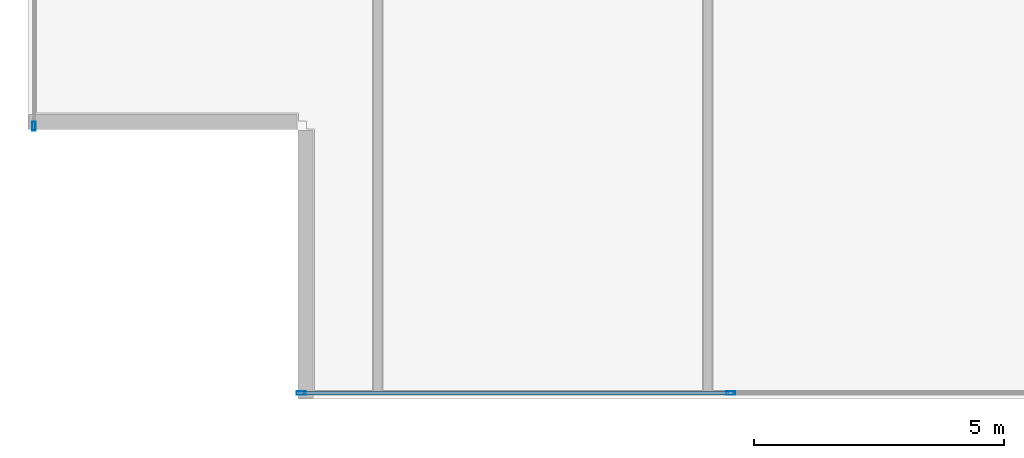
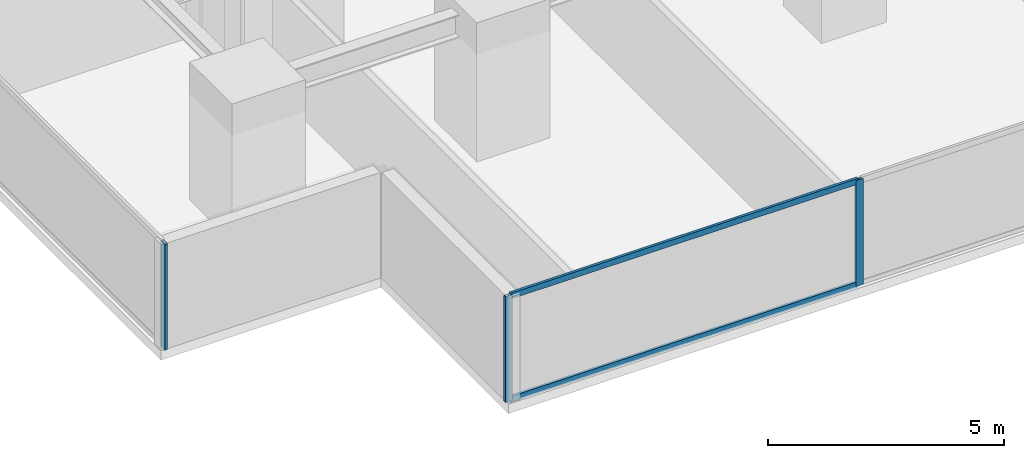
# One storey, part 2 of 34: 5 members, 2 elements without a shape of their own.
"""IFC4 building model written with IfcOpenShell, lengths in metres."""

from ifc_helpers import new_model, si_unit, direction, frame, origin, origin_2d, place, context, subcontext, project, spatial, hollow_rectangle, extrude, source, transform, mapped, material, layer, layer_set, material_profile, profile_set, type_object, element, aggregate, save


model = new_model("IFC4")

# Units and contexts
model_context = context("Model", 3, precision=1e-05, world=origin(), true_north=direction((0.0, 1.0)))
body_context = subcontext(model_context, "Body", "Model", "MODEL_VIEW")
ifc_project = project(units=[si_unit("LENGTHUNIT", "METRE"), si_unit("AREAUNIT", "SQUARE_METRE"), si_unit("VOLUMEUNIT", "CUBIC_METRE"), si_unit("PLANEANGLEUNIT", "RADIAN"), si_unit("MASSUNIT", "GRAM", prefix="KILO")], contexts=[model_context])

# Site, building, storey
site_placement = place(None, origin())
site = spatial("IfcSite", under=ifc_project, at=site_placement, CompositionType="ELEMENT")
building_placement = place(site_placement, origin())
building = spatial("IfcBuilding", under=site, at=building_placement, Name="Sumidabori Civic Tower", CompositionType="ELEMENT")
storey_placement = place(building_placement, frame((0.0, 0.0, 56.0)))
storey = spatial("IfcBuildingStorey", under=building, at=storey_placement, Name="L14", CompositionType="ELEMENT", Elevation=56.0)

# Curtain wall, members
ifc_material = material(Name="Anodised Bronze Aluminium AW-6063-T6", Category="aluminium")
ifc_layer = layer(ifc_material, 0.179931640625, Name="Anodised Bronze Aluminium AW-6063-T6")
ifc_layer_set = layer_set([ifc_layer], Name="Anodised Bronze Aluminium AW-6063-T6")
curtain_wall_type = type_object("IfcCurtainWallType", Name="CW-SYS-2", PredefinedType="NOTDEFINED", material=ifc_layer_set)
curtain_wall_1_placement = place(storey_placement, origin())
curtain_wall_1 = element("IfcCurtainWall", 1, at=curtain_wall_1_placement, inside=storey, type_object=curtain_wall_type, Name="Curtain Wall CW:L14:R01", PredefinedType="NOTDEFINED")
ifc_material_profile_1 = material_profile(ifc_material, hollow_rectangle(XDim=0.070068359375, YDim=0.179931640625, WallThickness=0.006103515625, at=origin_2d()), Name="ALU MULLION 180x70")
ifc_profile_set_1 = profile_set([ifc_material_profile_1], Name="Anodised Bronze Aluminium AW-6063-T6")
member_type_1 = type_object("IfcMemberType", Name="CW-MUL-180", PredefinedType="MULLION", material=ifc_profile_set_1)
shared_shape_1 = source(origin(), body_context, "Body", "SweptSolid", [
    extrude(hollow_rectangle(XDim=0.070068359375, YDim=0.179931640625, WallThickness=0.006103515625, at=origin_2d()), origin(), (0.0, 0.0, 1.0), 2.739990234375),
])
member_1_placement = place(storey_placement, frame((-21.534912109375, -26.8798828125, 0.0), z_axis=(0.0, 0.0, 1.0), x_axis=(0.0, 1.0, 0.0)))
member_1 = element("IfcMember", 2, at=member_1_placement, type_object=member_type_1, Name="CW-2 mullion 1", PredefinedType="MULLION", context=body_context, shape_type="MappedRepresentation", body=[
    mapped(shared_shape_1, transform((0.0, 0.0, 0.0), x_axis=(1.0, 0.0, 0.0), y_axis=(0.0, 1.0, 0.0), z_axis=(0.0, 0.0, 1.0), scale=1.0)),
])
member_2_placement = place(storey_placement, frame((-12.94189453125, -26.8798828125, 0.0), z_axis=(0.0, 0.0, 1.0), x_axis=(0.0, 1.0, 0.0)))
member_2 = element("IfcMember", 3, at=member_2_placement, type_object=member_type_1, Name="CW-2 mullion 2", PredefinedType="MULLION", context=body_context, shape_type="MappedRepresentation", body=[
    mapped(shared_shape_1, transform((0.0, 0.0, 0.0), x_axis=(1.0, 0.0, 0.0), y_axis=(0.0, 1.0, 0.0), z_axis=(0.0, 0.0, 1.0), scale=1.0)),
])

# Curtain wall, member
curtain_wall_2_placement = place(storey_placement, origin())
curtain_wall_2 = element("IfcCurtainWall", 4, at=curtain_wall_2_placement, inside=storey, type_object=curtain_wall_type, Name="Curtain Wall CW:L14:R10", PredefinedType="NOTDEFINED")
member_3_placement = place(storey_placement, frame((-26.8798828125, -21.534912109375, 0.0), z_axis=(0.0, 0.0, 1.0), x_axis=(1.0, 0.0, 0.0)))
member_3 = element("IfcMember", 5, at=member_3_placement, type_object=member_type_1, Name="CW-2 mullion 6", PredefinedType="MULLION", context=body_context, shape_type="MappedRepresentation", body=[
    mapped(shared_shape_1, transform((0.0, 0.0, 0.0), x_axis=(1.0, 0.0, 0.0), y_axis=(0.0, 1.0, 0.0), z_axis=(0.0, 0.0, 1.0), scale=1.0)),
])
aggregate(curtain_wall_2, [member_3])

# Member
ifc_material_profile_2 = material_profile(ifc_material, hollow_rectangle(XDim=0.06494140625, YDim=0.14990234375, WallThickness=0.0048828125, at=origin_2d()), Name="ALU TRANSOM 150x65")
ifc_profile_set_2 = profile_set([ifc_material_profile_2], Name="Anodised Bronze Aluminium AW-6063-T6")
member_type_2 = type_object("IfcMemberType", Name="CW-TRN-150", PredefinedType="USERDEFINED", material=ifc_profile_set_2)
shared_shape_2 = source(origin(), body_context, "Body", "SweptSolid", [
    extrude(hollow_rectangle(XDim=0.06494140625, YDim=0.14990234375, WallThickness=0.0048828125, at=origin_2d()), origin(), (0.0, 0.0, 1.0), 8.52294921875),
])
member_4_placement = place(storey_placement, frame((-21.5, -26.8798828125, 0.032470703125), z_axis=(1.0, 0.0, 0.0), x_axis=(0.0, 1.0, 0.0)))
member_4 = element("IfcMember", 6, at=member_4_placement, type_object=member_type_2, Name="CW-2 transom 1.1", ObjectType="TRANSOM", PredefinedType="USERDEFINED", context=body_context, shape_type="MappedRepresentation", body=[
    mapped(shared_shape_2, transform((0.0, 0.0, 0.0), x_axis=(1.0, 0.0, 0.0), y_axis=(0.0, 1.0, 0.0), z_axis=(0.0, 0.0, 1.0), scale=1.0)),
])

member_5_placement = place(storey_placement, frame((-21.5, -26.8798828125, 2.70751953125), z_axis=(1.0, 0.0, 0.0), x_axis=(0.0, 1.0, 0.0)))
member_5 = element("IfcMember", 7, at=member_5_placement, type_object=member_type_2, Name="CW-2 transom 1.2", ObjectType="TRANSOM", PredefinedType="USERDEFINED", context=body_context, shape_type="MappedRepresentation", body=[
    mapped(shared_shape_2, transform((0.0, 0.0, 0.0), x_axis=(1.0, 0.0, 0.0), y_axis=(0.0, 1.0, 0.0), z_axis=(0.0, 0.0, 1.0), scale=1.0)),
])

aggregate(curtain_wall_1, [member_1, member_2, member_4, member_5])

save(model, "model.ifc")
